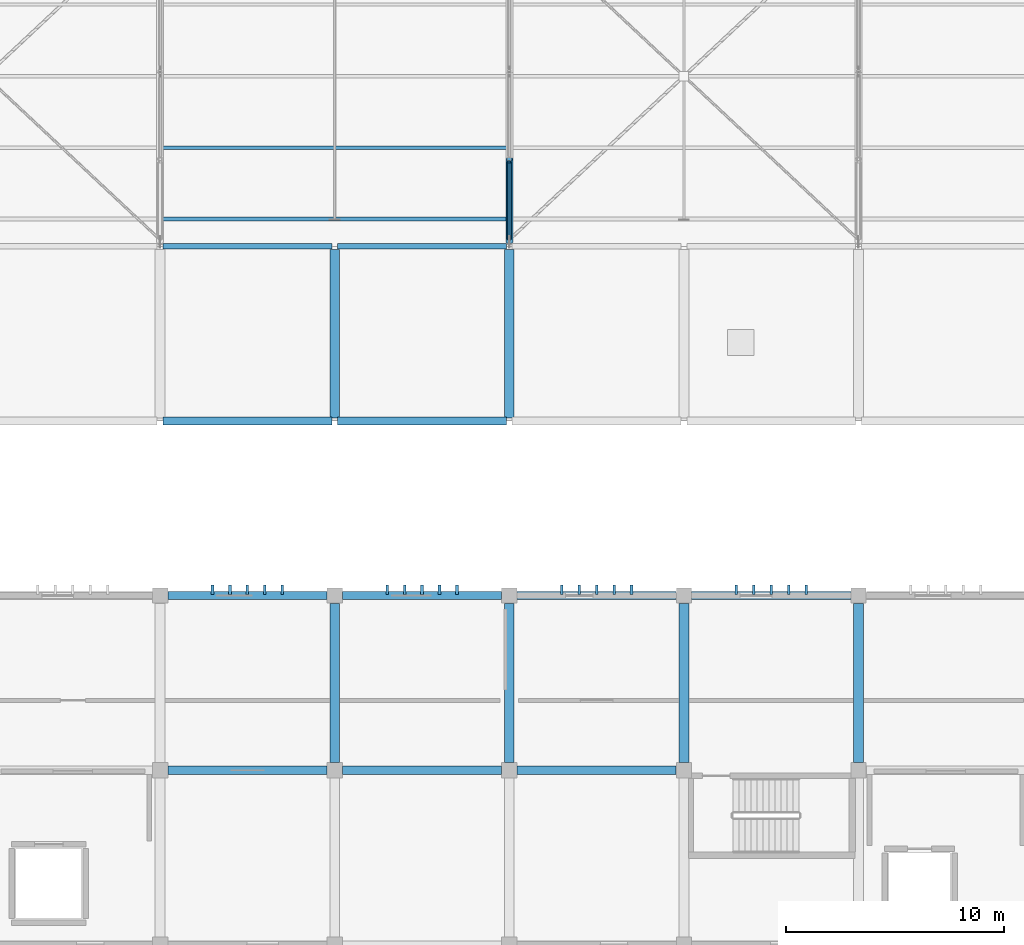
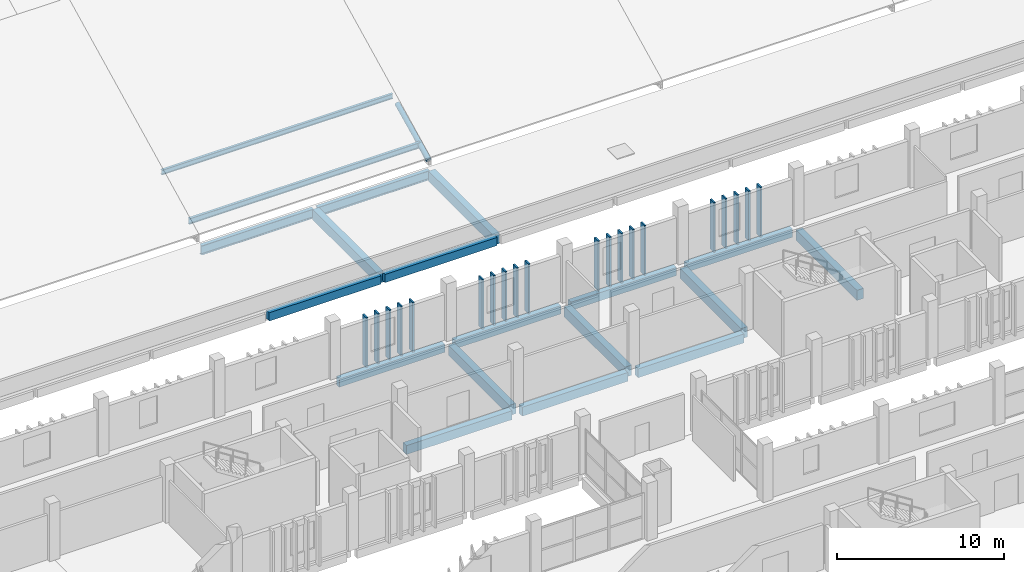
# One storey, part 68 of 137: 22 members, 19 beams.
"""IFC4 building model written with IfcOpenShell, lengths in metres."""

from ifc_helpers import new_model, si_unit, direction, frame, origin, origin_2d, place, context, subcontext, project, spatial, rectangle, hollow_circle, i_section, extrude, material, material_profile, profile_set, type_object, element, save


model = new_model("IFC4")

# Units and contexts
model_context = context("Model", 3, precision=1e-05, world=origin(), true_north=direction((0.0, 1.0)))
body_context = subcontext(model_context, "Body", "Model", "MODEL_VIEW")
ifc_project = project(units=[si_unit("LENGTHUNIT", "METRE"), si_unit("AREAUNIT", "SQUARE_METRE"), si_unit("VOLUMEUNIT", "CUBIC_METRE"), si_unit("PLANEANGLEUNIT", "RADIAN"), si_unit("MASSUNIT", "GRAM", prefix="KILO")], contexts=[model_context])

# Site, building, storey
site_placement = place(None, origin())
site = spatial("IfcSite", under=ifc_project, at=site_placement, CompositionType="ELEMENT")
building_placement = place(site_placement, origin())
building = spatial("IfcBuilding", under=site, at=building_placement, Name="Jelvoka-Kovrelna Polytechnic", CompositionType="ELEMENT")
storey_placement = place(building_placement, frame((0.0, 0.0, 9.60009765625)))
storey = spatial("IfcBuildingStorey", under=building, at=storey_placement, Name="L03", CompositionType="ELEMENT", Elevation=9.60009765625)

# Beams
ifc_material_1 = material(Name="Concrete C40/50", Category="concrete")
ifc_material_profile_1 = material_profile(ifc_material_1, rectangle(XDim=0.39990234375, YDim=0.64990234375, at=origin_2d()), Name="RC 400x650")
ifc_profile_set_1 = profile_set([ifc_material_profile_1], Name="Concrete C40/50")
beam_type_1 = type_object("IfcBeamType", Name="Beam_RC_400x650", PredefinedType="BEAM", material=ifc_profile_set_1)
for number, where, z_axis, x_axis, name in (
    (1, (136.35498046875, 64.0, -0.590087890625), (1.0, 0.0, 0.0), (0.0, 1.0, 0.0), "L03 beam 1052"),
    (2, (144.35498046875, 64.0, -0.590087890625), (1.0, 0.0, 0.0), (0.0, 1.0, 0.0), "L03 beam 1053"),
    (3, (152.35498046875, 64.0, -0.590087890625), (1.0, 0.0, 0.0), (0.0, 1.0, 0.0), "L03 beam 1054"),
):
    element("IfcBeam", number, at=place(storey_placement, frame(where, z_axis=z_axis, x_axis=x_axis)), inside=storey, type_object=beam_type_1, Name=name, PredefinedType="BEAM", context=body_context, shape_type="SweptSolid", body=[
        extrude(rectangle(XDim=0.39990234375, YDim=0.64990234375, at=origin_2d()), origin(), (0.0, 0.0, 1.0), 7.2900390625),
    ])
ifc_material_2 = material(Name="Concrete C40/50", Category="concrete")
ifc_material_profile_2 = material_profile(ifc_material_2, rectangle(XDim=0.449951171875, YDim=0.75, at=origin_2d()), Name="RC 450x750")
ifc_profile_set_2 = profile_set([ifc_material_profile_2], Name="Concrete C40/50")
beam_type_2 = type_object("IfcBeamType", Name="Beam_RC_450x750", PredefinedType="BEAM", material=ifc_profile_set_2)
for number, where, z_axis, x_axis, name in (
    (4, (144.0, 64.35498046875, -0.64013671875), (0.0, 1.0, 0.0), (-1.0, 0.0, 0.0), "L03 beam 1075"),
    (5, (152.0, 64.35498046875, -0.64013671875), (0.0, 1.0, 0.0), (-1.0, 0.0, 0.0), "L03 beam 1077"),
    (6, (160.0, 64.35498046875, -0.64013671875), (0.0, 1.0, 0.0), (-1.0, 0.0, 0.0), "L03 beam 1079"),
    (7, (168.0, 64.35498046875, -0.64013671875), (0.0, 1.0, 0.0), (-1.0, 0.0, 0.0), "L03 beam 1081"),
):
    element("IfcBeam", number, at=place(storey_placement, frame(where, z_axis=z_axis, x_axis=x_axis)), inside=storey, type_object=beam_type_2, Name=name, PredefinedType="BEAM", context=body_context, shape_type="SweptSolid", body=[
        extrude(rectangle(XDim=0.449951171875, YDim=0.75, at=origin_2d()), origin(), (0.0, 0.0, 1.0), 7.2900390625),
    ])
for number, where, z_axis, x_axis, name in (
    (8, (144.0, 80.1337890625, -0.585205078125), (0.0, 1.0, 0.0), (-1.0, 0.0, 0.0), "L03 beam 2093"),
    (9, (152.0, 80.1337890625, -0.585205078125), (0.0, 1.0, 0.0), (-1.0, 0.0, 0.0), "L03 beam 2094"),
):
    element("IfcBeam", number, at=place(storey_placement, frame(where, z_axis=z_axis, x_axis=x_axis)), inside=storey, type_object=beam_type_2, Name=name, PredefinedType="BEAM", context=body_context, shape_type="SweptSolid", body=[
        extrude(rectangle(XDim=0.449951171875, YDim=0.75, at=origin_2d()), origin(), (0.0, 0.0, 1.0), 7.732421875),
    ])
ifc_material_3 = material(Name="Structural steel S355JR", Category="steel")
ifc_material_profile_3 = material_profile(ifc_material_3, i_section(OverallWidth=0.2529296875, OverallDepth=0.677978515625, WebThickness=0.01171875, FlangeThickness=0.01611328125, FilletRadius=0.01513671875, at=origin_2d()), Name="686x254x125 UB")
ifc_profile_set_3 = profile_set([ifc_material_profile_3], Name="Structural steel S355JR")
beam_type_3 = type_object("IfcBeamType", Name="Girder_Steel_UB686", PredefinedType="BEAM", material=ifc_profile_set_3)
for number, where, z_axis, x_axis, name in (
    (10, (136.1328125, 88.0, -0.549072265625), (1.0, 0.0, 0.0), (0.0, 1.0, 0.0), "L03 beam 0101"),
    (11, (144.1328125, 88.0, -0.549072265625), (1.0, 0.0, 0.0), (0.0, 1.0, 0.0), "L03 beam 0103"),
):
    element("IfcBeam", number, at=place(storey_placement, frame(where, z_axis=z_axis, x_axis=x_axis)), inside=storey, type_object=beam_type_3, Name=name, PredefinedType="BEAM", context=body_context, shape_type="SweptSolid", body=[
        extrude(i_section(OverallWidth=0.2529296875, OverallDepth=0.677978515625, WebThickness=0.01171875, FlangeThickness=0.01611328125, FilletRadius=0.01513671875, at=origin_2d()), origin(), (0.0, 0.0, 1.0), 7.734375),
    ])

# Members
ifc_material_4 = material(Name="Precast concrete C40/50", Category="concrete")
ifc_material_profile_4 = material_profile(ifc_material_4, rectangle(XDim=0.1201171875, YDim=0.449951171875, at=origin_2d()), Name="PC 120x450")
ifc_profile_set_4 = profile_set([ifc_material_profile_4], Name="Precast concrete C40/50")
member_type_1 = type_object("IfcMemberType", Name="Louvre_Fin_120x450", PredefinedType="USERDEFINED", material=ifc_profile_set_4)
for number, where, z_axis, x_axis, name in (
    (12, (138.39990234375, 72.264892578125, -0.27001953125), (0.0, 0.0, 1.0), (1.0, 0.0, 0.0), "L03 B3 north vertical solar louvre fin 1561"),
    (13, (139.199951171875, 72.264892578125, -0.27001953125), (0.0, 0.0, 1.0), (1.0, 0.0, 0.0), "L03 B3 north vertical solar louvre fin 1562"),
    (14, (140.0, 72.264892578125, -0.27001953125), (0.0, 0.0, 1.0), (1.0, 0.0, 0.0), "L03 B3 north vertical solar louvre fin 1563"),
    (15, (140.800048828125, 72.264892578125, -0.27001953125), (0.0, 0.0, 1.0), (1.0, 0.0, 0.0), "L03 B3 north vertical solar louvre fin 1564"),
    (16, (141.60009765625, 72.264892578125, -0.27001953125), (0.0, 0.0, 1.0), (1.0, 0.0, 0.0), "L03 B3 north vertical solar louvre fin 1565"),
    (17, (146.39990234375, 72.264892578125, -0.27001953125), (0.0, 0.0, 1.0), (1.0, 0.0, 0.0), "L03 B3 north vertical solar louvre fin 1566"),
    (18, (147.199951171875, 72.264892578125, -0.27001953125), (0.0, 0.0, 1.0), (1.0, 0.0, 0.0), "L03 B3 north vertical solar louvre fin 1567"),
    (19, (148.0, 72.264892578125, -0.27001953125), (0.0, 0.0, 1.0), (1.0, 0.0, 0.0), "L03 B3 north vertical solar louvre fin 1568"),
    (20, (148.800048828125, 72.264892578125, -0.27001953125), (0.0, 0.0, 1.0), (1.0, 0.0, 0.0), "L03 B3 north vertical solar louvre fin 1569"),
    (21, (149.60009765625, 72.264892578125, -0.27001953125), (0.0, 0.0, 1.0), (1.0, 0.0, 0.0), "L03 B3 north vertical solar louvre fin 1570"),
    (22, (154.39990234375, 72.264892578125, -0.27001953125), (0.0, 0.0, 1.0), (1.0, 0.0, 0.0), "L03 B3 north vertical solar louvre fin 1576"),
    (23, (155.199951171875, 72.264892578125, -0.27001953125), (0.0, 0.0, 1.0), (1.0, 0.0, 0.0), "L03 B3 north vertical solar louvre fin 1577"),
    (24, (156.0, 72.264892578125, -0.27001953125), (0.0, 0.0, 1.0), (1.0, 0.0, 0.0), "L03 B3 north vertical solar louvre fin 1578"),
    (25, (156.800048828125, 72.264892578125, -0.27001953125), (0.0, 0.0, 1.0), (1.0, 0.0, 0.0), "L03 B3 north vertical solar louvre fin 1579"),
    (26, (157.60009765625, 72.264892578125, -0.27001953125), (0.0, 0.0, 1.0), (1.0, 0.0, 0.0), "L03 B3 north vertical solar louvre fin 1580"),
    (27, (162.39990234375, 72.264892578125, -0.27001953125), (0.0, 0.0, 1.0), (1.0, 0.0, 0.0), "L03 B3 north vertical solar louvre fin 1586"),
    (28, (163.199951171875, 72.264892578125, -0.27001953125), (0.0, 0.0, 1.0), (1.0, 0.0, 0.0), "L03 B3 north vertical solar louvre fin 1587"),
    (29, (164.0, 72.264892578125, -0.27001953125), (0.0, 0.0, 1.0), (1.0, 0.0, 0.0), "L03 B3 north vertical solar louvre fin 1588"),
    (30, (164.800048828125, 72.264892578125, -0.27001953125), (0.0, 0.0, 1.0), (1.0, 0.0, 0.0), "L03 B3 north vertical solar louvre fin 1589"),
    (31, (165.60009765625, 72.264892578125, -0.27001953125), (0.0, 0.0, 1.0), (1.0, 0.0, 0.0), "L03 B3 north vertical solar louvre fin 1590"),
):
    element("IfcMember", number, at=place(storey_placement, frame(where, z_axis=z_axis, x_axis=x_axis)), inside=storey, type_object=member_type_1, Name=name, ObjectType="SUNSHADE", PredefinedType="USERDEFINED", context=body_context, shape_type="SweptSolid", body=[
        extrude(rectangle(XDim=0.1201171875, YDim=0.449951171875, at=origin_2d()), origin(), (0.0, 0.0, 1.0), 3.64501953125),
    ])
ifc_material_5 = material(Name="Structural steel S355J2H", Category="steel")
ifc_material_profile_5 = material_profile(ifc_material_5, hollow_circle(Radius=0.109619140625, WallThickness=0.008056640625, at=origin_2d()), Name="219.1x8.0 CHS")
ifc_profile_set_5 = profile_set([ifc_material_profile_5], Name="Structural steel S355J2H")
member_type_2 = type_object("IfcMemberType", Name="Member_Brace_CHS219", PredefinedType="BRACE", material=ifc_profile_set_5)
member_1_placement = place(storey_placement, frame((152.0, 88.340087890625, 0.14990234375), z_axis=(0.0, 0.878084029324, 0.478506465418), x_axis=(-1.0, 0.0, 0.0)))
element("IfcMember", 32, at=member_1_placement, inside=storey, type_object=member_type_2, Name="Sawtooth truss 5 diagonal web 1.1", PredefinedType="BRACE", context=body_context, shape_type="SweptSolid", body=[
    extrude(hollow_circle(Radius=0.109619140625, WallThickness=0.008056640625, at=origin_2d()), origin(), (0.0, 0.0, 1.0), 4.0087890625),
])
ifc_material_6 = material(Name="Structural steel S355J2H", Category="steel")
ifc_material_profile_6 = material_profile(ifc_material_6, hollow_circle(Radius=0.161865234375, WallThickness=0.010009765625, at=origin_2d()), Name="323.9x10.0 CHS")
ifc_profile_set_6 = profile_set([ifc_material_profile_6], Name="Structural steel S355J2H")
member_type_3 = type_object("IfcMemberType", Name="Member_Chord_CHS324", PredefinedType="CHORD", material=ifc_profile_set_6)
member_2_placement = place(storey_placement, frame((152.0, 88.199951171875, 0.31640625), z_axis=(0.0, 0.900803851837, 0.434226231952), x_axis=(-1.0, 0.0, 0.0)))
element("IfcMember", 33, at=member_2_placement, inside=storey, type_object=member_type_3, Name="Sawtooth truss 5 top chord 1.1", PredefinedType="CHORD", context=body_context, shape_type="SweptSolid", body=[
    extrude(hollow_circle(Radius=0.161865234375, WallThickness=0.010009765625, at=origin_2d()), origin(), (0.0, 0.0, 1.0), 4.218505859375),
])

# Beams
ifc_material_7 = material(Name="Structural steel S355JR", Category="steel")
ifc_material_profile_7 = material_profile(ifc_material_7, i_section(OverallWidth=0.17138671875, OverallDepth=0.35498046875, WebThickness=0.00732421875, FlangeThickness=0.011474609375, FilletRadius=0.01025390625, at=origin_2d()), Name="356x171x51 UB")
ifc_profile_set_7 = profile_set([ifc_material_profile_7], Name="Structural steel S355JR")
beam_type_4 = type_object("IfcBeamType", Name="Purlin_Steel_UB356", PredefinedType="JOIST", material=ifc_profile_set_7)
beam_1_placement = place(storey_placement, frame((136.02001953125, 92.52392578125, 2.400634765625), z_axis=(1.0, 0.0, 0.0), x_axis=(0.0, 1.0, 0.0)))
element("IfcBeam", 34, at=beam_1_placement, inside=storey, type_object=beam_type_4, Name="Sawtooth roof purlin 032", PredefinedType="JOIST", context=body_context, shape_type="SweptSolid", body=[
    extrude(i_section(OverallWidth=0.17138671875, OverallDepth=0.35498046875, WebThickness=0.00732421875, FlangeThickness=0.011474609375, FilletRadius=0.01025390625, at=origin_2d()), origin(), (0.0, 0.0, 1.0), 15.9599609375),
])
ifc_material_8 = material(Name="Structural steel S355JR", Category="steel")
ifc_material_profile_8 = material_profile(ifc_material_8, i_section(OverallWidth=0.177978515625, OverallDepth=0.406494140625, WebThickness=0.0078125, FlangeThickness=0.0126953125, FilletRadius=0.01025390625, at=origin_2d()), Name="406x178x60 UB")
ifc_profile_set_8 = profile_set([ifc_material_profile_8], Name="Structural steel S355JR")
beam_type_5 = type_object("IfcBeamType", Name="Purlin_Steel_UB406", PredefinedType="JOIST", material=ifc_profile_set_8)
beam_2_placement = place(storey_placement, frame((136.02001953125, 89.248046875, 0.821533203125), z_axis=(1.0, 0.0, 0.0), x_axis=(0.0, 1.0, 0.0)))
element("IfcBeam", 35, at=beam_2_placement, inside=storey, type_object=beam_type_5, Name="Sawtooth roof purlin 031", PredefinedType="JOIST", context=body_context, shape_type="SweptSolid", body=[
    extrude(i_section(OverallWidth=0.177978515625, OverallDepth=0.406494140625, WebThickness=0.0078125, FlangeThickness=0.0126953125, FilletRadius=0.01025390625, at=origin_2d()), origin(), (0.0, 0.0, 1.0), 15.9599609375),
])
ifc_material_9 = material(Name="Concrete C40/50", Category="concrete")
ifc_material_profile_9 = material_profile(ifc_material_9, rectangle(XDim=0.35009765625, YDim=0.60009765625, at=origin_2d()), Name="RC 350x600")
ifc_profile_set_9 = profile_set([ifc_material_profile_9], Name="Concrete C40/50")
beam_type_6 = type_object("IfcBeamType", Name="Spandrel_RC_350x600", PredefinedType="SPANDREL", material=ifc_profile_set_9)
for number, where, z_axis, x_axis, name in (
    (36, (136.35498046875, 72.0, -0.565185546875), (1.0, 0.0, 0.0), (0.0, 1.0, 0.0), "L03 beam 1061"),
    (37, (144.35498046875, 72.0, -0.565185546875), (1.0, 0.0, 0.0), (0.0, 1.0, 0.0), "L03 beam 1062"),
    (38, (152.35498046875, 72.0, -0.565185546875), (1.0, 0.0, 0.0), (0.0, 1.0, 0.0), "L03 beam 1063"),
    (39, (160.35498046875, 72.0, -0.565185546875), (1.0, 0.0, 0.0), (0.0, 1.0, 0.0), "L03 beam 1064"),
):
    element("IfcBeam", number, at=place(storey_placement, frame(where, z_axis=z_axis, x_axis=x_axis)), inside=storey, type_object=beam_type_6, Name=name, PredefinedType="SPANDREL", context=body_context, shape_type="SweptSolid", body=[
        extrude(rectangle(XDim=0.35009765625, YDim=0.60009765625, at=origin_2d()), origin(), (0.0, 0.0, 1.0), 7.2900390625),
    ])
for number, where, z_axis, x_axis, name in (
    (40, (136.1328125, 80.0, -0.510009765625), (1.0, 0.0, 0.0), (0.0, 1.0, 0.0), "L03 beam 2078"),
    (41, (144.1328125, 80.0, -0.510009765625), (1.0, 0.0, 0.0), (0.0, 1.0, 0.0), "L03 beam 2079"),
):
    element("IfcBeam", number, at=place(storey_placement, frame(where, z_axis=z_axis, x_axis=x_axis)), inside=storey, type_object=beam_type_6, Name=name, PredefinedType="SPANDREL", context=body_context, shape_type="SweptSolid", body=[
        extrude(rectangle(XDim=0.35009765625, YDim=0.60009765625, at=origin_2d()), origin(), (0.0, 0.0, 1.0), 7.734375),
    ])

save(model, "model.ifc")
